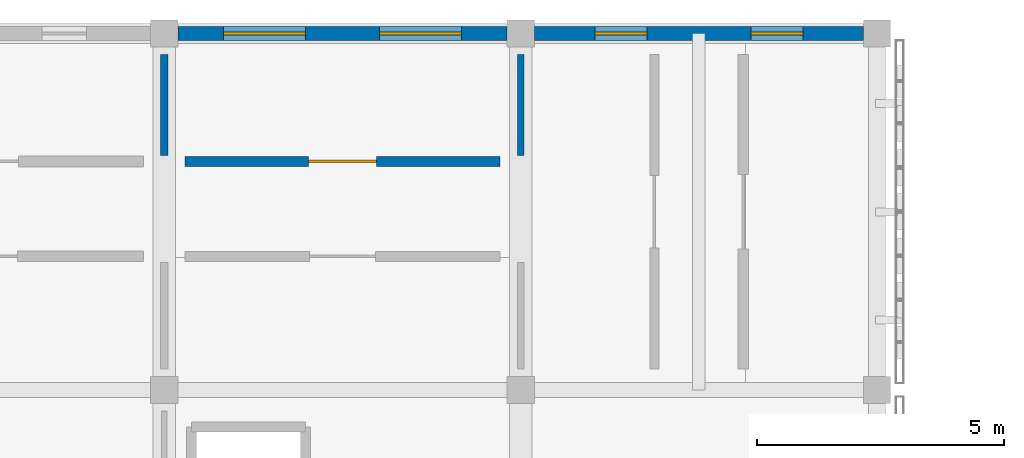
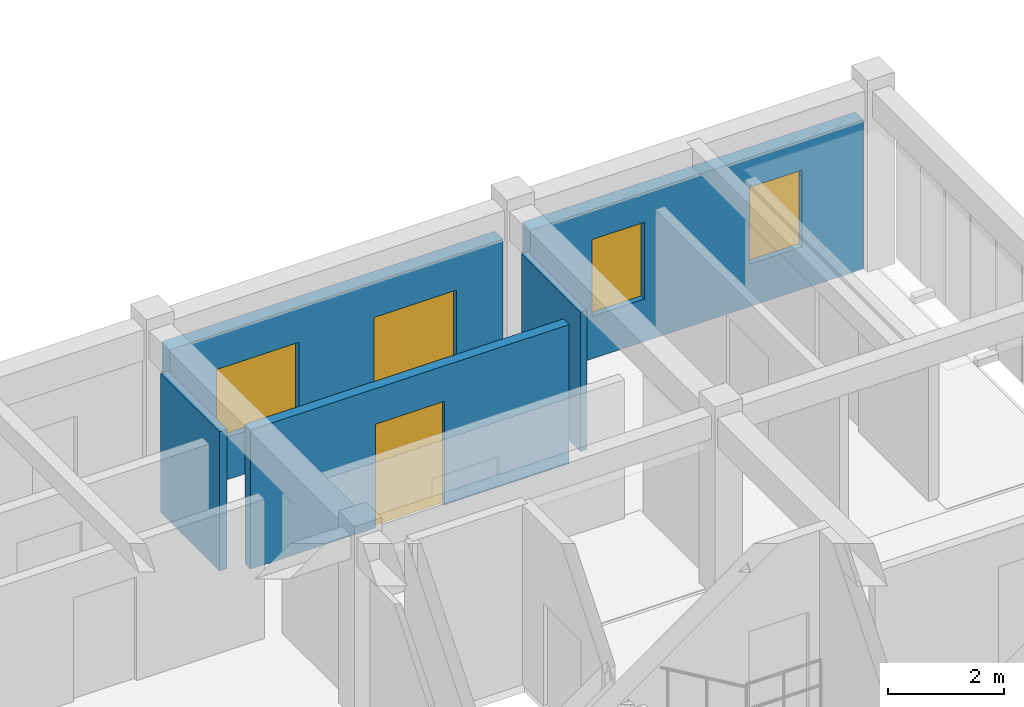
# One storey, part 25 of 33: 5 walls, 4 windows, 1 door, 5 openings.
"""IFC4 building model written with IfcOpenShell, lengths in metres."""

from ifc_helpers import new_model, si_unit, direction, frame, frame_2d, origin, place, context, subcontext, project, spatial, rectangle, extrude, material, layer, layer_set, type_object, element, fill, save


model = new_model("IFC4")

# Units and contexts
model_context = context("Model", 3, precision=1e-05, world=origin(), true_north=direction((0.0, 1.0)))
body_context = subcontext(model_context, "Body", "Model", "MODEL_VIEW")
ifc_project = project(units=[si_unit("LENGTHUNIT", "METRE"), si_unit("AREAUNIT", "SQUARE_METRE"), si_unit("VOLUMEUNIT", "CUBIC_METRE"), si_unit("PLANEANGLEUNIT", "RADIAN"), si_unit("MASSUNIT", "GRAM", prefix="KILO")], contexts=[model_context])

# Site, building, storey
site_placement = place(None, origin())
site = spatial("IfcSite", under=ifc_project, at=site_placement, CompositionType="ELEMENT")
building_placement = place(site_placement, origin())
building = spatial("IfcBuilding", under=site, at=building_placement, Name="Aldebral Square Health Centre", CompositionType="ELEMENT")
storey_placement = place(building_placement, frame((0.0, 0.0, 17.550048828125)))
storey = spatial("IfcBuildingStorey", under=building, at=storey_placement, Name="L04", CompositionType="ELEMENT", Elevation=17.550048828125)

# Wall, openings, windows
ifc_material_1 = material(Name="Ochre mineral-rendered concrete C35/45 court wall", Category="concrete")
ifc_layer_1 = layer(ifc_material_1, 0.280029296875, Name="Ochre mineral-rendered concrete C35/45 court wall", Category="concrete")
ifc_layer_set_1 = layer_set([ifc_layer_1], Name="Ochre mineral-rendered concrete C35/45 court wall")
wall_type_1 = type_object("IfcWallType", Name="EW-OCH-280", PredefinedType="STANDARD", material=ifc_layer_set_1)
wall_1_placement = place(storey_placement, frame((21.324951171875, 115.199951171875, 0.0), z_axis=(0.0, 0.0, 1.0), x_axis=(-1.0, 0.0, 0.0)))
wall_1 = element("IfcWall", 1, at=wall_1_placement, inside=storey, type_object=wall_type_1, Name="L04 V4 exterior wall L04-V4-02-15-N", PredefinedType="STANDARD", context=body_context, shape_type="SweptSolid", body=[
    extrude(rectangle(XDim=6.64990234375, YDim=0.280029296875, at=frame_2d((3.324951171875, 0.0))), origin(), (0.0, 0.0, 1.0), 3.14990234375),
])
opening_1_placement = place(wall_1_placement, frame((0.925048828125, 0.0, 0.89990234375)))
opening_1 = element("IfcOpeningElement", 2, at=opening_1_placement, cuts=wall_1, Name="Opening W24", PredefinedType="OPENING", context=body_context, shape_type="SweptSolid", body=[
    extrude(rectangle(XDim=1.64990234375, YDim=1.5, at=frame_2d((0.824951171875, 0.75))), frame((0.0, 0.14990234375, 0.0), z_axis=(0.0, -1.0, 0.0), x_axis=(1.0, 0.0, 0.0)), (0.0, 0.0, 1.0), 0.300048828125),
])
opening_2_placement = place(wall_1_placement, frame((4.074951171875, 0.0, 0.89990234375)))
opening_2 = element("IfcOpeningElement", 3, at=opening_2_placement, cuts=wall_1, Name="Opening W24", PredefinedType="OPENING", context=body_context, shape_type="SweptSolid", body=[
    extrude(rectangle(XDim=1.64990234375, YDim=1.5, at=frame_2d((0.824951171875, 0.75))), frame((0.0, 0.14990234375, 0.0), z_axis=(0.0, -1.0, 0.0), x_axis=(1.0, 0.0, 0.0)), (0.0, 0.0, 1.0), 0.300048828125),
])
ifc_material_2 = material(Name="Thermally broken aluminium and low-E glass", Category="aluminium")
window_type_1 = type_object("IfcWindowType", Name="WIN-W24", PartitioningType="SINGLE_PANEL", PredefinedType="WINDOW", material=ifc_material_2)
window_1_placement = place(opening_1_placement, origin())
window_1 = element("IfcWindow", 4, at=window_1_placement, inside=storey, type_object=window_type_1, Name="L04 clinical window L04-V4-02-15-N.1", OverallHeight=1.5, OverallWidth=1.64990234375, PartitioningType="SINGLE_PANEL", PredefinedType="WINDOW", context=body_context, shape_type="SweptSolid", body=[
    extrude(rectangle(XDim=1.64990234375, YDim=1.5, at=frame_2d((0.824951171875, 0.75))), frame((0.0, 0.030029296875, 0.0), z_axis=(0.0, -1.0, 0.0), x_axis=(1.0, 0.0, 0.0)), (0.0, 0.0, 1.0), 0.06005859375),
])
fill(opening_1, window_1)
window_2_placement = place(opening_2_placement, origin())
window_2 = element("IfcWindow", 5, at=window_2_placement, inside=storey, type_object=window_type_1, Name="L04 clinical window L04-V4-02-15-N.2", OverallHeight=1.5, OverallWidth=1.64990234375, PartitioningType="SINGLE_PANEL", PredefinedType="WINDOW", context=body_context, shape_type="SweptSolid", body=[
    extrude(rectangle(XDim=1.64990234375, YDim=1.5, at=frame_2d((0.824951171875, 0.75))), frame((0.0, 0.030029296875, 0.0), z_axis=(0.0, -1.0, 0.0), x_axis=(1.0, 0.0, 0.0)), (0.0, 0.0, 1.0), 0.06005859375),
])
fill(opening_2, window_2)

wall_2_placement = place(storey_placement, frame((28.52490234375, 115.199951171875, 0.0), z_axis=(0.0, 0.0, 1.0), x_axis=(-1.0, 0.0, 0.0)))
wall_2 = element("IfcWall", 6, at=wall_2_placement, inside=storey, type_object=wall_type_1, Name="L04 V4 exterior wall L04-V4-03-15-N", PredefinedType="STANDARD", context=body_context, shape_type="SweptSolid", body=[
    extrude(rectangle(XDim=6.64990234375, YDim=0.280029296875, at=frame_2d((3.324951171875, 0.0))), origin(), (0.0, 0.0, 1.0), 3.14990234375),
])
opening_3_placement = place(wall_2_placement, frame((1.22509765625, 0.0, 0.89990234375)))
opening_3 = element("IfcOpeningElement", 7, at=opening_3_placement, cuts=wall_2, Name="Opening W29", PredefinedType="OPENING", context=body_context, shape_type="SweptSolid", body=[
    extrude(rectangle(XDim=1.050048828125, YDim=1.6201171875, at=frame_2d((0.52490234375, 0.81005859375))), frame((0.0, 0.14990234375, 0.0), z_axis=(0.0, -1.0, 0.0), x_axis=(1.0, 0.0, 0.0)), (0.0, 0.0, 1.0), 0.300048828125),
])
opening_4_placement = place(wall_2_placement, frame((4.375, 0.0, 0.89990234375)))
opening_4 = element("IfcOpeningElement", 8, at=opening_4_placement, cuts=wall_2, Name="Opening W29", PredefinedType="OPENING", context=body_context, shape_type="SweptSolid", body=[
    extrude(rectangle(XDim=1.050048828125, YDim=1.6201171875, at=frame_2d((0.52490234375, 0.81005859375))), frame((0.0, 0.14990234375, 0.0), z_axis=(0.0, -1.0, 0.0), x_axis=(1.0, 0.0, 0.0)), (0.0, 0.0, 1.0), 0.300048828125),
])
window_type_2 = type_object("IfcWindowType", Name="WIN-W29", PartitioningType="SINGLE_PANEL", PredefinedType="WINDOW", material=ifc_material_2)
window_3_placement = place(opening_3_placement, origin())
window_3 = element("IfcWindow", 9, at=window_3_placement, inside=storey, type_object=window_type_2, Name="L04 clinical window L04-V4-03-15-N.1", OverallHeight=1.6201171875, OverallWidth=1.050048828125, PartitioningType="SINGLE_PANEL", PredefinedType="WINDOW", context=body_context, shape_type="SweptSolid", body=[
    extrude(rectangle(XDim=1.050048828125, YDim=1.6201171875, at=frame_2d((0.52490234375, 0.81005859375))), frame((0.0, 0.030029296875, 0.0), z_axis=(0.0, -1.0, 0.0), x_axis=(1.0, 0.0, 0.0)), (0.0, 0.0, 1.0), 0.06005859375),
])
fill(opening_3, window_3)
window_4_placement = place(opening_4_placement, origin())
window_4 = element("IfcWindow", 10, at=window_4_placement, inside=storey, type_object=window_type_2, Name="L04 clinical window L04-V4-03-15-N.2", OverallHeight=1.6201171875, OverallWidth=1.050048828125, PartitioningType="SINGLE_PANEL", PredefinedType="WINDOW", context=body_context, shape_type="SweptSolid", body=[
    extrude(rectangle(XDim=1.050048828125, YDim=1.6201171875, at=frame_2d((0.52490234375, 0.81005859375))), frame((0.0, 0.030029296875, 0.0), z_axis=(0.0, -1.0, 0.0), x_axis=(1.0, 0.0, 0.0)), (0.0, 0.0, 1.0), 0.06005859375),
])
fill(opening_4, window_4)

# Wall, opening, door
ifc_material_3 = material(Name="Concrete C35/45 compartment wall", Category="concrete")
ifc_layer_2 = layer(ifc_material_3, 0.199951171875, Name="Concrete C35/45 compartment wall", Category="concrete")
ifc_layer_set_2 = layer_set([ifc_layer_2], Name="Concrete C35/45 compartment wall")
wall_type_2 = type_object("IfcWallType", Name="IW-CMP-200", PredefinedType="SOLIDWALL", material=ifc_layer_set_2)
wall_3_placement = place(storey_placement, frame((14.820068359375, 112.6201171875, 0.0), z_axis=(0.0, 0.0, 1.0), x_axis=(1.0, 0.0, 0.0)))
wall_3 = element("IfcWall", 11, at=wall_3_placement, inside=storey, type_object=wall_type_2, Name="L04 Rheumatology Exam Room 3.16N corridor wall", PredefinedType="SOLIDWALL", context=body_context, shape_type="SweptSolid", body=[
    extrude(rectangle(XDim=6.35986328125, YDim=0.199951171875, at=frame_2d((3.179931640625, 0.0))), origin(), (0.0, 0.0, 1.0), 2.93994140625),
])
opening_5_placement = place(wall_3_placement, frame((2.489990234375, 0.0, 0.0)))
opening_5 = element("IfcOpeningElement", 12, at=opening_5_placement, cuts=wall_3, Name="Opening D-0627", PredefinedType="OPENING", context=body_context, shape_type="SweptSolid", body=[
    extrude(rectangle(XDim=1.3798828125, YDim=2.18994140625, at=frame_2d((0.68994140625, 1.094970703125))), frame((0.0, 0.10986328125, 0.0), z_axis=(0.0, -1.0, 0.0), x_axis=(1.0, 0.0, 0.0)), (0.0, 0.0, 1.0), 0.219970703125),
])
ifc_material_4 = material(Name="Clinical suite fire door")
door_type = type_object("IfcDoorType", Name="ID-EXD-60", OperationType="NOTDEFINED", PredefinedType="DOOR", material=ifc_material_4)
door_placement = place(opening_5_placement, origin())
door = element("IfcDoor", 13, at=door_placement, inside=storey, type_object=door_type, Name="L04 Rheumatology Exam Room 3.16N door", OperationType="SINGLE_SWING_RIGHT", OverallHeight=2.18994140625, OverallWidth=1.3798828125, PredefinedType="DOOR", context=body_context, shape_type="SweptSolid", body=[
    extrude(rectangle(XDim=1.3798828125, YDim=2.18994140625, at=frame_2d((0.68994140625, 1.094970703125))), frame((0.0, 0.02490234375, 0.0), z_axis=(0.0, -1.0, 0.0), x_axis=(1.0, 0.0, 0.0)), (0.0, 0.0, 1.0), 0.050048828125),
])
fill(opening_5, door)

# Walls
ifc_material_5 = material(Name="Acoustic clinical gypsum partition")
ifc_layer_3 = layer(ifc_material_5, 0.135009765625, Name="Acoustic clinical gypsum partition")
ifc_layer_set_3 = layer_set([ifc_layer_3], Name="Acoustic clinical gypsum partition")
wall_type_3 = type_object("IfcWallType", Name="IW-PRT-135", PredefinedType="PARTITIONING", material=ifc_layer_set_3)
wall_4_placement = place(storey_placement, frame((21.60009765625, 112.739990234375, 0.0), z_axis=(0.0, 0.0, 1.0), x_axis=(0.0, 1.0, 0.0)))
element("IfcWall", 14, at=wall_4_placement, inside=storey, type_object=wall_type_3, Name="L04 Rheumatology Exam Room 3.16N demising partition", PredefinedType="PARTITIONING", context=body_context, shape_type="SweptSolid", body=[
    extrude(rectangle(XDim=2.0400390625, YDim=0.135009765625, at=frame_2d((1.02001953125, 0.0))), origin(), (0.0, 0.0, 1.0), 2.93994140625),
])
ifc_layer_4 = layer(ifc_material_5, 0.14990234375, Name="Acoustic clinical gypsum partition")
ifc_layer_set_4 = layer_set([ifc_layer_4], Name="Acoustic clinical gypsum partition")
wall_type_4 = type_object("IfcWallType", Name="IW-PRT-150", PredefinedType="PARTITIONING", material=ifc_layer_set_4)
wall_5_placement = place(storey_placement, frame((14.39990234375, 112.739990234375, 0.0), z_axis=(0.0, 0.0, 1.0), x_axis=(0.0, 1.0, 0.0)))
element("IfcWall", 15, at=wall_5_placement, inside=storey, type_object=wall_type_4, Name="L04 Specialist Clinic 2.16N demising partition", PredefinedType="PARTITIONING", context=body_context, shape_type="SweptSolid", body=[
    extrude(rectangle(XDim=2.0400390625, YDim=0.14990234375, at=frame_2d((1.02001953125, 0.0))), origin(), (0.0, 0.0, 1.0), 2.93994140625),
])

save(model, "model.ifc")
